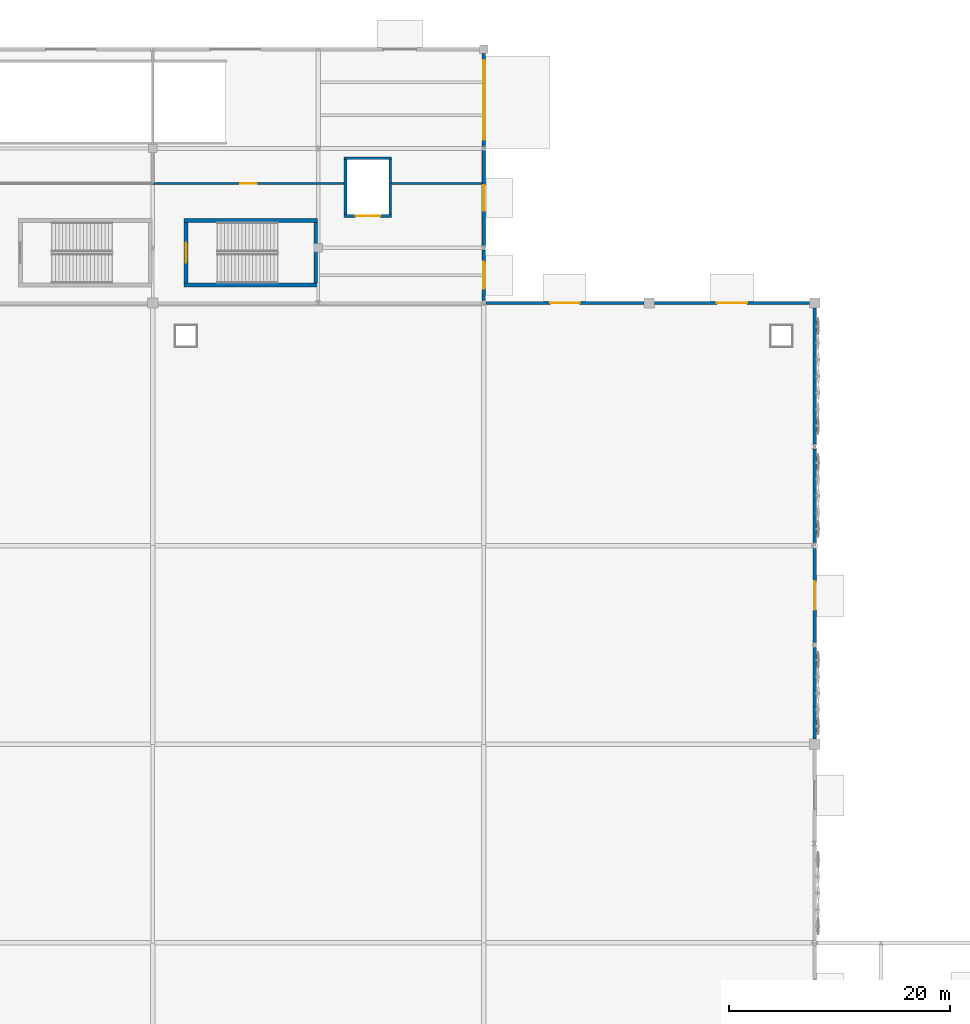
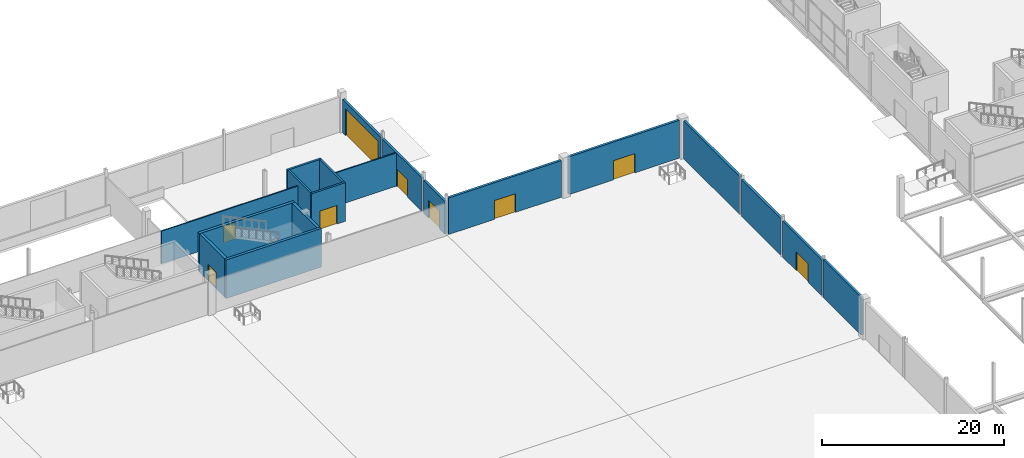
# One storey, part 57 of 94: 19 walls, 9 doors, 9 openings.
"""IFC4 building model written with IfcOpenShell, lengths in metres."""

import ifcopenshell
import ifcopenshell.guid

model = None  # the IFC model being written
_history = None  # IfcOwnerHistory: only IFC2X3 demands one
_inside = {}  # id of a spatial element -> (the spatial element, [elements in it])
_under = {}  # id of a project, library or spatial element -> (it, [spatial elements below it])
_declared = {}  # id of a project -> (the project, [libraries it declares])
_typed = {}  # id of a type object -> (the type object, [elements of that type])
_made_of = {}  # id of a material, layer set ... -> (it, [elements and type objects made of it])


def new_model(schema):
    """Start an empty IFC model of exactly this schema.

    Asked for "IFC4X3", IfcOpenShell would pick the latest addendum, in which some entities
    have other attributes; the version numbers below select the first issue.
    IFC2X3 requires an IfcOwnerHistory on every rooted entity: one is made here for all.
    """
    global model, _history
    if schema == "IFC4X3":
        model = ifcopenshell.file(schema_version=(4, 3, 0, 0))
    else:
        model = ifcopenshell.file(schema=schema)
    _inside.clear()
    _under.clear()
    _declared.clear()
    _typed.clear()
    _made_of.clear()
    _history = None
    if model.schema == "IFC2X3":
        org = make("IfcOrganization", Name="unknown")
        user = make(
            "IfcPersonAndOrganization",
            ThePerson=make("IfcPerson", FamilyName="unknown"),
            TheOrganization=org,
        )
        app = make(
            "IfcApplication",
            ApplicationDeveloper=org,
            Version="unknown",
            ApplicationFullName="unknown",
            ApplicationIdentifier="unknown",
        )
        _history = make(
            "IfcOwnerHistory",
            OwningUser=user,
            OwningApplication=app,
            ChangeAction="ADDED",
            CreationDate=0,
        )
    return model


def make(cls, **values):
    """One entity of the class cls with the attributes given. An attribute that is None is left unset."""
    return model.create_entity(
        cls, **{name: value for name, value in values.items() if value is not None}
    )


def rooted(cls, **values):
    """An entity with a GlobalId (a new one), such as an element, a storey or a relation."""
    return make(cls, GlobalId=ifcopenshell.guid.new(), OwnerHistory=_history, **values)


def si_unit(unit_type, name, prefix=None):
    """IfcSIUnit, for example si_unit("LENGTHUNIT", "METRE", prefix="MILLI")."""
    return make("IfcSIUnit", UnitType=unit_type, Prefix=prefix, Name=name)


def assignment(units):
    """IfcUnitAssignment: the units of a project."""
    return None if units is None else make("IfcUnitAssignment", Units=units)


def point(xyz):
    """IfcCartesianPoint."""
    return None if xyz is None else make("IfcCartesianPoint", Coordinates=xyz)


def direction(xyz):
    """IfcDirection."""
    return None if xyz is None else make("IfcDirection", DirectionRatios=xyz)


def frame(location, z_axis=None, x_axis=None):
    """IfcAxis2Placement3D, a coordinate frame: its origin and axes. An axis left out is left unset."""
    return make(
        "IfcAxis2Placement3D",
        Location=point(location),
        Axis=direction(z_axis),
        RefDirection=direction(x_axis),
    )


def frame_2d(location, x_axis=None):
    """IfcAxis2Placement2D, a coordinate frame in the plane: its origin and x axis."""
    return make(
        "IfcAxis2Placement2D", Location=point(location), RefDirection=direction(x_axis)
    )


def origin():
    """The frame at (0, 0, 0) with its axes left unset."""
    return frame((0.0, 0.0, 0.0))


def place(relative_to, where):
    """IfcLocalPlacement: puts the frame where relative to a parent placement (None: the world)."""
    return make(
        "IfcLocalPlacement", PlacementRelTo=relative_to, RelativePlacement=where
    )


def context(
    kind, dimensions, precision=None, world=None, true_north=None, identifier=None
):
    """IfcGeometricRepresentationContext, for example the 3D "Model" context."""
    return make(
        "IfcGeometricRepresentationContext",
        ContextIdentifier=identifier,
        ContextType=kind,
        CoordinateSpaceDimension=dimensions,
        Precision=precision,
        WorldCoordinateSystem=world,
        TrueNorth=true_north,
    )


def subcontext(parent, identifier, kind, view, scale=None):
    """IfcGeometricRepresentationSubContext, for example "Body" below "Model"."""
    return make(
        "IfcGeometricRepresentationSubContext",
        ContextIdentifier=identifier,
        ContextType=kind,
        ParentContext=parent,
        TargetScale=scale,
        TargetView=view,
    )


def project(units=None, contexts=None):
    """IfcProject with its units and contexts."""
    return rooted(
        "IfcProject",
        Name="project",
        RepresentationContexts=contexts,
        UnitsInContext=assignment(units),
    )


def spatial(cls, under=None, at=None, **own):
    """A site, building, storey or space (cls), placed at a placement, below another one or the project."""
    s = rooted(cls, ObjectPlacement=at, **own)
    if under is not None:
        _under.setdefault(under.id(), (under, []))[1].append(s)
    return s


def profile(cls, at=None, kind="AREA", **sizes):
    """A parametric profile (cls). Its sizes go by their IFC names, for example OverallWidth=200.0."""
    return make(cls, ProfileType=kind, Position=at, **sizes)


def rectangle(**sizes):
    """IfcRectangleProfileDef."""
    return profile("IfcRectangleProfileDef", **sizes)


def extrude(swept, where, along, depth):
    """IfcExtrudedAreaSolid: the profile swept, set in the frame where, extruded along a direction by depth."""
    return make(
        "IfcExtrudedAreaSolid",
        SweptArea=swept,
        Position=where,
        ExtrudedDirection=direction(along),
        Depth=depth,
    )


def shape(context_of_items, identifier, shape_type, items):
    """IfcShapeRepresentation: the items that make up one representation, for example the "Body"."""
    return make(
        "IfcShapeRepresentation",
        ContextOfItems=context_of_items,
        RepresentationIdentifier=identifier,
        RepresentationType=shape_type,
        Items=items,
    )


def material(Name=None, Category=None):
    """IfcMaterial."""
    return make("IfcMaterial", Name=Name, Category=Category)


def layer(
    of_material, thickness, ventilated=None, Name=None, Category=None, Priority=None
):
    """IfcMaterialLayer: one layer of a wall or slab, of a material (None: an air gap)."""
    return make(
        "IfcMaterialLayer",
        Material=of_material,
        LayerThickness=thickness,
        IsVentilated=ventilated,
        Name=Name,
        Category=Category,
        Priority=Priority,
    )


def layer_set(layers, Name=None):
    """IfcMaterialLayerSet."""
    return make("IfcMaterialLayerSet", MaterialLayers=layers, LayerSetName=Name)


def made_of(thing, what):
    """Note that an element or type object is made of a material, layer set ...; save() writes the relation."""
    if what is not None:
        _made_of.setdefault(what.id(), (what, []))[1].append(thing)
    return thing


def type_object(cls, material=None, **own):
    """A type object (cls), such as IfcWallType, which elements share."""
    return made_of(rooted(cls, **own), material)


def element(
    cls,
    number,
    at=None,
    inside=None,
    cuts=None,
    type_object=None,
    material=None,
    context=None,
    identifier="Body",
    shape_type=None,
    held_by="IfcProductDefinitionShape",
    body=None,
    shapes=None,
    **own,
):
    """One element of the class cls, such as IfcWall. Its Tag is "e" and its number.

    at: its placement. inside: the storey or other place that contains it. cuts: it is an
    opening in that element (IfcRelVoidsElement). A single representation is given by context,
    identifier, shape_type and body (its items); several are given by shapes. held_by: the class
    of the entity that holds the representations. save() writes the other relations.
    """
    e = rooted(cls, Tag="e%d" % number, ObjectPlacement=at, **own)
    if body is not None:
        shapes = [shape(context, identifier, shape_type, body)]
    if shapes is not None:
        e.Representation = make(held_by, Representations=shapes)
    if inside is not None:
        _inside.setdefault(inside.id(), (inside, []))[1].append(e)
    if cuts is not None:
        rooted(
            "IfcRelVoidsElement", RelatingBuildingElement=cuts, RelatedOpeningElement=e
        )
    if type_object is not None:
        _typed.setdefault(type_object.id(), (type_object, []))[1].append(e)
    return made_of(e, material)


def fill(opening, filler):
    """IfcRelFillsElement: the door or window that sits in an opening."""
    return rooted(
        "IfcRelFillsElement",
        RelatingOpeningElement=opening,
        RelatedBuildingElement=filler,
    )


def aggregate(whole, parts):
    """IfcRelAggregates: a whole, such as a stair, and the parts it consists of."""
    return rooted("IfcRelAggregates", RelatingObject=whole, RelatedObjects=parts)


def save(model, path):
    """Write the relations noted so far, then the file.

    IfcRelAggregates (storeys below a building ...), IfcRelContainedInSpatialStructure (elements
    in a storey), IfcRelDefinesByType, IfcRelAssociatesMaterial and IfcRelDeclares: one each for
    every whole, place, type object, material and project.
    """
    for whole, parts in _under.values():
        aggregate(whole, parts)
    for where, things in _inside.values():
        rooted(
            "IfcRelContainedInSpatialStructure",
            RelatedElements=things,
            RelatingStructure=where,
        )
    for kind, things in _typed.values():
        rooted("IfcRelDefinesByType", RelatedObjects=things, RelatingType=kind)
    for what, things in _made_of.values():
        rooted("IfcRelAssociatesMaterial", RelatedObjects=things, RelatingMaterial=what)
    for by, libraries in _declared.values():
        rooted("IfcRelDeclares", RelatingContext=by, RelatedDefinitions=libraries)
    model.write(path)


model = new_model("IFC4")

# Units and contexts
model_context = context("Model", 3, precision=1e-05, world=origin(), true_north=direction((0.0, 1.0)))
body_context = subcontext(model_context, "Body", "Model", "MODEL_VIEW")
ifc_project = project(units=[si_unit("LENGTHUNIT", "METRE"), si_unit("AREAUNIT", "SQUARE_METRE"), si_unit("VOLUMEUNIT", "CUBIC_METRE"), si_unit("PLANEANGLEUNIT", "RADIAN"), si_unit("MASSUNIT", "GRAM", prefix="KILO")], contexts=[model_context])

# Site, building, storey
site_placement = place(None, origin())
site = spatial("IfcSite", under=ifc_project, at=site_placement, CompositionType="ELEMENT")
building_placement = place(site_placement, origin())
building = spatial("IfcBuilding", under=site, at=building_placement, Name="Qamarlyn Nura Convention Centre", CompositionType="ELEMENT")
storey_placement = place(building_placement, origin())
storey = spatial("IfcBuildingStorey", under=building, at=storey_placement, Name="L00", CompositionType="ELEMENT", Elevation=0.0)

# Walls
ifc_material_1 = material(Name="Concrete C50/60", Category="concrete")
ifc_layer_1 = layer(ifc_material_1, 0.35009765625, Name="WT-CORE-350")
ifc_layer_set_1 = layer_set([ifc_layer_1], Name="Concrete C50/60")
wall_type_1 = type_object("IfcWallType", Name="WT-CORE-350", PredefinedType="SHEAR", material=ifc_layer_set_1)
for number, where, z_axis, x_axis, name in (
    (1, (62.85009765625, 104.625, 0.0), (0.0, 0.0, 1.0), (1.0, 0.0, 0.0), "L00 stair core shear wall ST-04-S"),
    (2, (74.949951171875, 110.47509765625, 0.0), (0.0, 0.0, 1.0), (-1.0, 0.0, 0.0), "L00 stair core shear wall ST-04-N"),
):
    element("IfcWall", number, at=place(storey_placement, frame(where, z_axis=z_axis, x_axis=x_axis)), inside=storey, type_object=wall_type_1, Name=name, PredefinedType="SHEAR", context=body_context, shape_type="SweptSolid", body=[
        extrude(rectangle(XDim=12.099853515625, YDim=0.35009765625, at=frame_2d((6.0498046875, 0.0))), origin(), (0.0, 0.0, 1.0), 5.179931640625),
    ])

# Wall, opening, door
wall_1_placement = place(storey_placement, frame((63.02490234375, 110.300048828125, 0.0), z_axis=(0.0, 0.0, 1.0), x_axis=(0.0, -1.0, 0.0)))
wall_1 = element("IfcWall", 3, at=wall_1_placement, inside=storey, type_object=wall_type_1, Name="L00 stair core shear wall ST-04-W", PredefinedType="SHEAR", context=body_context, shape_type="SweptSolid", body=[
    extrude(rectangle(XDim=5.5, YDim=0.35009765625, at=frame_2d((2.75, 0.0))), origin(), (0.0, 0.0, 1.0), 5.179931640625),
])
opening_1_placement = place(wall_1_placement, frame((1.85009765625, 0.0, 0.0)))
opening_1 = element("IfcOpeningElement", 4, at=opening_1_placement, cuts=wall_1, Name="Opening DS-011", PredefinedType="OPENING", context=body_context, shape_type="SweptSolid", body=[
    extrude(rectangle(XDim=1.800048828125, YDim=2.199951171875, at=frame_2d((0.89990234375, 1.10009765625))), frame((0.0, 0.18505859375, 0.0), z_axis=(0.0, -1.0, 0.0), x_axis=(1.0, 0.0, 0.0)), (0.0, 0.0, 1.0), 0.3701171875),
])
ifc_material_2 = material(Name="Galvanised fire-rated hollow steel door", Category="steel")
door_type_1 = type_object("IfcDoorType", Name="DR-STAIR-1800", OperationType="DOUBLE_DOOR_SINGLE_SWING", PredefinedType="DOOR", material=ifc_material_2)
door_1_placement = place(opening_1_placement, origin())
door_1 = element("IfcDoor", 5, at=door_1_placement, inside=storey, type_object=door_type_1, Name="L00 exit stair door ST-04 (DS-011)", OperationType="DOUBLE_DOOR_SINGLE_SWING", OverallHeight=2.199951171875, OverallWidth=1.800048828125, PredefinedType="DOOR", context=body_context, shape_type="SweptSolid", body=[
    extrude(rectangle(XDim=1.800048828125, YDim=2.199951171875, at=frame_2d((0.89990234375, 1.10009765625))), frame((0.0, 0.02490234375, 0.0), z_axis=(0.0, -1.0, 0.0), x_axis=(1.0, 0.0, 0.0)), (0.0, 0.0, 1.0), 0.050048828125),
])
fill(opening_1, door_1)

# Wall
wall_2_placement = place(storey_placement, frame((74.77490234375, 104.800048828125, 0.0), z_axis=(0.0, 0.0, 1.0), x_axis=(0.0, 1.0, 0.0)))
element("IfcWall", 6, at=wall_2_placement, inside=storey, type_object=wall_type_1, Name="L00 stair core shear wall ST-04-E", PredefinedType="SHEAR", context=body_context, shape_type="SweptSolid", body=[
    extrude(rectangle(XDim=5.5, YDim=0.35009765625, at=frame_2d((2.75, 0.0))), origin(), (0.0, 0.0, 1.0), 5.179931640625),
])

# Wall, opening, door
ifc_material_3 = material(Name="Concrete C40/50", Category="concrete")
ifc_layer_2 = layer(ifc_material_3, 0.280029296875, Name="WT-EXT-280")
ifc_layer_set_2 = layer_set([ifc_layer_2], Name="Concrete C40/50")
wall_type_2 = type_object("IfcWallType", Name="WT-EXT-280", PredefinedType="SOLIDWALL", material=ifc_layer_set_2)
wall_3_placement = place(storey_placement, frame((90.0, 116.845947265625, 0.0), z_axis=(0.0, 0.0, 1.0), x_axis=(0.0, -1.0, 0.0)))
wall_3 = element("IfcWall", 7, at=wall_3_placement, inside=storey, type_object=wall_type_2, Name="L00 exterior facade wall WEXT-L00-900-1168-900-1082", PredefinedType="SOLIDWALL", context=body_context, shape_type="SweptSolid", body=[
    extrude(rectangle(XDim=8.659912109375, YDim=0.280029296875, at=frame_2d((4.330078125, 0.0))), origin(), (0.0, 0.0, 1.0), 4.469970703125),
])
opening_2_placement = place(wall_3_placement, frame((3.155029296875, 0.0, 0.0)))
opening_2 = element("IfcOpeningElement", 8, at=opening_2_placement, cuts=wall_3, Name="Opening E-33", PredefinedType="OPENING", context=body_context, shape_type="SweptSolid", body=[
    extrude(rectangle(XDim=2.35009765625, YDim=2.3798828125, at=frame_2d((1.175048828125, 1.18994140625))), frame((0.0, 0.14990234375, 0.0), z_axis=(0.0, -1.0, 0.0), x_axis=(1.0, 0.0, 0.0)), (0.0, 0.0, 1.0), 0.300048828125),
])
ifc_material_4 = material(Name="Champagne-anodised marine aluminium", Category="aluminium")
door_type_2 = type_object("IfcDoorType", Name="DR-EXIT-2350", OperationType="DOUBLE_DOOR_SINGLE_SWING", PredefinedType="DOOR", material=ifc_material_4)
door_2_placement = place(opening_2_placement, origin())
door_2 = element("IfcDoor", 9, at=door_2_placement, inside=storey, type_object=door_type_2, Name="Final exit E-33", OperationType="DOUBLE_DOOR_SINGLE_SWING", OverallHeight=2.3798828125, OverallWidth=2.35009765625, PredefinedType="DOOR", context=body_context, shape_type="SweptSolid", body=[
    extrude(rectangle(XDim=2.35009765625, YDim=2.3798828125, at=frame_2d((1.175048828125, 1.18994140625))), frame((0.0, 0.02490234375, 0.0), z_axis=(0.0, -1.0, 0.0), x_axis=(1.0, 0.0, 0.0)), (0.0, 0.0, 1.0), 0.050048828125),
])
fill(opening_2, door_2)

wall_4_placement = place(storey_placement, frame((90.0, 107.81396484375, 0.0), z_axis=(0.0, 0.0, 1.0), x_axis=(0.0, -1.0, 0.0)))
wall_4 = element("IfcWall", 10, at=wall_4_placement, inside=storey, type_object=wall_type_2, Name="L00 exterior facade wall WEXT-L00-900-1078-900-1032", PredefinedType="SOLIDWALL", context=body_context, shape_type="SweptSolid", body=[
    extrude(rectangle(XDim=4.61083984375, YDim=0.280029296875, at=frame_2d((2.305419921875, 0.0))), origin(), (0.0, 0.0, 1.0), 4.39208984375),
])
opening_3_placement = place(wall_4_placement, frame((1.095458984375, 0.0, 0.0)))
opening_3 = element("IfcOpeningElement", 11, at=opening_3_placement, cuts=wall_4, Name="Opening E-34", PredefinedType="OPENING", context=body_context, shape_type="SweptSolid", body=[
    extrude(rectangle(XDim=2.419921875, YDim=2.39990234375, at=frame_2d((1.2099609375, 1.199951171875))), frame((0.0, 0.14990234375, 0.0), z_axis=(0.0, -1.0, 0.0), x_axis=(1.0, 0.0, 0.0)), (0.0, 0.0, 1.0), 0.300048828125),
])
door_type_3 = type_object("IfcDoorType", Name="DR-EXIT-2420", OperationType="DOUBLE_DOOR_SINGLE_SWING", PredefinedType="DOOR", material=ifc_material_4)
door_3_placement = place(opening_3_placement, origin())
door_3 = element("IfcDoor", 12, at=door_3_placement, inside=storey, type_object=door_type_3, Name="Final exit E-34", OperationType="DOUBLE_DOOR_SINGLE_SWING", OverallHeight=2.39990234375, OverallWidth=2.419921875, PredefinedType="DOOR", context=body_context, shape_type="SweptSolid", body=[
    extrude(rectangle(XDim=2.419921875, YDim=2.39990234375, at=frame_2d((1.2099609375, 1.199951171875))), frame((0.0, 0.02490234375, 0.0), z_axis=(0.0, -1.0, 0.0), x_axis=(1.0, 0.0, 0.0)), (0.0, 0.0, 1.0), 0.050048828125),
])
fill(opening_3, door_3)

ifc_material_5 = material(Name="Concrete C40/50 with UAE coastal limestone stone facing", Category="masonry")
ifc_layer_3 = layer(ifc_material_5, 0.300048828125, Name="WT-LIME-300")
ifc_layer_set_3 = layer_set([ifc_layer_3], Name="Concrete C40/50 with UAE coastal limestone stone facing")
wall_type_3 = type_object("IfcWallType", Name="WT-LIME-300", PredefinedType="SOLIDWALL", material=ifc_layer_set_3)
wall_5_placement = place(storey_placement, frame((90.203125, 103.0, 0.0), z_axis=(0.0, 0.0, 1.0), x_axis=(1.0, 0.0, 0.0)))
wall_5 = element("IfcWall", 13, at=wall_5_placement, inside=storey, type_object=wall_type_3, Name="L00 exterior facade wall WEXT-L00-902-1030-1045-1030", PredefinedType="SOLIDWALL", context=body_context, shape_type="SweptSolid", body=[
    extrude(rectangle(XDim=14.32177734375, YDim=0.300048828125, at=frame_2d((7.160888671875, 0.0))), origin(), (0.0, 0.0, 1.0), 4.9189453125),
])
opening_4_placement = place(wall_5_placement, frame((5.8359375, 0.0, 0.0)))
opening_4 = element("IfcOpeningElement", 14, at=opening_4_placement, cuts=wall_5, Name="Opening E-21", PredefinedType="OPENING", context=body_context, shape_type="SweptSolid", body=[
    extrude(rectangle(XDim=2.64990234375, YDim=2.52001953125, at=frame_2d((1.324951171875, 1.260009765625))), frame((0.0, 0.16015625, 0.0), z_axis=(0.0, -1.0, 0.0), x_axis=(1.0, 0.0, 0.0)), (0.0, 0.0, 1.0), 0.320068359375),
])
door_type_4 = type_object("IfcDoorType", Name="DR-EXIT-2650", OperationType="DOUBLE_DOOR_SINGLE_SWING", PredefinedType="DOOR", material=ifc_material_4)
door_4_placement = place(opening_4_placement, origin())
door_4 = element("IfcDoor", 15, at=door_4_placement, inside=storey, type_object=door_type_4, Name="Final exit E-21", OperationType="DOUBLE_DOOR_SINGLE_SWING", OverallHeight=2.52001953125, OverallWidth=2.64990234375, PredefinedType="DOOR", context=body_context, shape_type="SweptSolid", body=[
    extrude(rectangle(XDim=2.64990234375, YDim=2.52001953125, at=frame_2d((1.324951171875, 1.260009765625))), frame((0.0, 0.02490234375, 0.0), z_axis=(0.0, -1.0, 0.0), x_axis=(1.0, 0.0, 0.0)), (0.0, 0.0, 1.0), 0.050048828125),
])
fill(opening_4, door_4)

wall_6_placement = place(storey_placement, frame((105.47509765625, 103.0, 0.0), z_axis=(0.0, 0.0, 1.0), x_axis=(1.0, 0.0, 0.0)))
wall_6 = element("IfcWall", 16, at=wall_6_placement, inside=storey, type_object=wall_type_3, Name="L00 exterior facade wall WEXT-L00-1055-1030-1195-1030", PredefinedType="SOLIDWALL", context=body_context, shape_type="SweptSolid", body=[
    extrude(rectangle(XDim=14.0498046875, YDim=0.300048828125, at=frame_2d((7.02490234375, 0.0))), origin(), (0.0, 0.0, 1.0), 5.0849609375),
])
opening_5_placement = place(wall_6_placement, frame((5.64990234375, 0.0, 0.0)))
opening_5 = element("IfcOpeningElement", 17, at=opening_5_placement, cuts=wall_6, Name="Opening E-22", PredefinedType="OPENING", context=body_context, shape_type="SweptSolid", body=[
    extrude(rectangle(XDim=2.75, YDim=2.580078125, at=frame_2d((1.375, 1.2900390625))), frame((0.0, 0.16015625, 0.0), z_axis=(0.0, -1.0, 0.0), x_axis=(1.0, 0.0, 0.0)), (0.0, 0.0, 1.0), 0.320068359375),
])
door_type_5 = type_object("IfcDoorType", Name="DR-MAIN-2750", OperationType="DOUBLE_DOOR_SINGLE_SWING", PredefinedType="DOOR", material=ifc_material_4)
door_5_placement = place(opening_5_placement, origin())
door_5 = element("IfcDoor", 18, at=door_5_placement, inside=storey, type_object=door_type_5, Name="Final exit E-22", OperationType="DOUBLE_DOOR_SINGLE_SWING", OverallHeight=2.580078125, OverallWidth=2.75, PredefinedType="DOOR", context=body_context, shape_type="SweptSolid", body=[
    extrude(rectangle(XDim=2.75, YDim=2.580078125, at=frame_2d((1.375, 1.2900390625))), frame((0.0, 0.02490234375, 0.0), z_axis=(0.0, -1.0, 0.0), x_axis=(1.0, 0.0, 0.0)), (0.0, 0.0, 1.0), 0.050048828125),
])
fill(opening_5, door_5)

# Wall
wall_7_placement = place(storey_placement, frame((120.0, 71.796875, 0.0), z_axis=(0.0, 0.0, 1.0), x_axis=(0.0, -1.0, 0.0)))
element("IfcWall", 19, at=wall_7_placement, inside=storey, type_object=wall_type_3, Name="L00 exterior facade wall WEXT-L00-1200-718-1200-635", PredefinedType="SOLIDWALL", context=body_context, shape_type="SweptSolid", body=[
    extrude(rectangle(XDim=8.32177734375, YDim=0.300048828125, at=frame_2d((4.160888671875, 0.0))), origin(), (0.0, 0.0, 1.0), 5.0849609375),
])

# Wall, opening, door
wall_8_placement = place(storey_placement, frame((120.0, 80.74609375, 0.0), z_axis=(0.0, 0.0, 1.0), x_axis=(0.0, -1.0, 0.0)))
wall_8 = element("IfcWall", 20, at=wall_8_placement, inside=storey, type_object=wall_type_3, Name="L00 exterior facade wall WEXT-L00-1200-807-1200-722", PredefinedType="SOLIDWALL", context=body_context, shape_type="SweptSolid", body=[
    extrude(rectangle(XDim=8.54296875, YDim=0.300048828125, at=frame_2d((4.271484375, 0.0))), origin(), (0.0, 0.0, 1.0), 4.845947265625),
])
opening_6_placement = place(wall_8_placement, frame((2.9814453125, 0.0, 0.0)))
opening_6 = element("IfcOpeningElement", 21, at=opening_6_placement, cuts=wall_8, Name="Opening E-28", PredefinedType="OPENING", context=body_context, shape_type="SweptSolid", body=[
    extrude(rectangle(XDim=2.580078125, YDim=2.47998046875, at=frame_2d((1.2900390625, 1.239990234375))), frame((0.0, 0.16015625, 0.0), z_axis=(0.0, -1.0, 0.0), x_axis=(1.0, 0.0, 0.0)), (0.0, 0.0, 1.0), 0.320068359375),
])
door_type_6 = type_object("IfcDoorType", Name="DR-EXIT-2580", OperationType="DOUBLE_DOOR_SINGLE_SWING", PredefinedType="DOOR", material=ifc_material_4)
door_6_placement = place(opening_6_placement, origin())
door_6 = element("IfcDoor", 22, at=door_6_placement, inside=storey, type_object=door_type_6, Name="Final exit E-28", OperationType="DOUBLE_DOOR_SINGLE_SWING", OverallHeight=2.47998046875, OverallWidth=2.580078125, PredefinedType="DOOR", context=body_context, shape_type="SweptSolid", body=[
    extrude(rectangle(XDim=2.580078125, YDim=2.47998046875, at=frame_2d((1.2900390625, 1.239990234375))), frame((0.0, 0.02490234375, 0.0), z_axis=(0.0, -1.0, 0.0), x_axis=(1.0, 0.0, 0.0)), (0.0, 0.0, 1.0), 0.050048828125),
])
fill(opening_6, door_6)

# Walls
wall_9_placement = place(storey_placement, frame((120.0, 89.78759765625, 0.0), z_axis=(0.0, 0.0, 1.0), x_axis=(0.0, -1.0, 0.0)))
element("IfcWall", 23, at=wall_9_placement, inside=storey, type_object=wall_type_3, Name="L00 exterior facade wall WEXT-L00-1200-898-1200-813", PredefinedType="SOLIDWALL", context=body_context, shape_type="SweptSolid", body=[
    extrude(rectangle(XDim=8.53369140625, YDim=0.300048828125, at=frame_2d((4.266845703125, 0.0))), origin(), (0.0, 0.0, 1.0), 4.9189453125),
])
wall_10_placement = place(storey_placement, frame((120.0, 102.52490234375, 0.0), z_axis=(0.0, 0.0, 1.0), x_axis=(0.0, -1.0, 0.0)))
element("IfcWall", 24, at=wall_10_placement, inside=storey, type_object=wall_type_3, Name="L00 exterior facade wall WEXT-L00-1200-1025-1200-902", PredefinedType="SOLIDWALL", context=body_context, shape_type="SweptSolid", body=[
    extrude(rectangle(XDim=12.3125, YDim=0.300048828125, at=frame_2d((6.15625, 0.0))), origin(), (0.0, 0.0, 1.0), 5.0849609375),
])

# Wall, opening, door
wall_11_placement = place(storey_placement, frame((90.0, 125.625, 0.0), z_axis=(0.0, 0.0, 1.0), x_axis=(0.0, -1.0, 0.0)))
wall_11 = element("IfcWall", 25, at=wall_11_placement, inside=storey, type_object=wall_type_3, Name="L00 exterior facade wall WEXT-L00-900-1256-900-1172", PredefinedType="SOLIDWALL", context=body_context, shape_type="SweptSolid", body=[
    extrude(rectangle(XDim=8.470947265625, YDim=0.300048828125, at=frame_2d((4.2353515625, 0.0))), origin(), (0.0, 0.0, 1.0), 4.48095703125),
])
opening_7_placement = place(wall_11_placement, frame((0.635986328125, 0.0, 0.0)))
opening_7 = element("IfcOpeningElement", 26, at=opening_7_placement, cuts=wall_11, Name="Opening VG-01", PredefinedType="OPENING", context=body_context, shape_type="SweptSolid", body=[
    extrude(rectangle(XDim=7.199951171875, YDim=3.60009765625, at=frame_2d((3.60009765625, 1.800048828125))), frame((0.0, 0.16015625, 0.0), z_axis=(0.0, -1.0, 0.0), x_axis=(1.0, 0.0, 0.0)), (0.0, 0.0, 1.0), 0.320068359375),
])
ifc_material_6 = material(Name="Steel ASTM A500 Grade C", Category="steel")
door_type_7 = type_object("IfcDoorType", Name="DR-RMP-7200", OperationType="ROLLINGUP", PredefinedType="DOOR", material=ifc_material_6)
door_7_placement = place(opening_7_placement, origin())
door_7 = element("IfcDoor", 27, at=door_7_placement, inside=storey, type_object=door_type_7, Name="Car park vehicle roller shutter gate VG-01", OperationType="ROLLINGUP", OverallHeight=3.60009765625, OverallWidth=7.199951171875, PredefinedType="DOOR", context=body_context, shape_type="SweptSolid", body=[
    extrude(rectangle(XDim=7.199951171875, YDim=3.60009765625, at=frame_2d((3.60009765625, 1.800048828125))), frame((0.0, 0.02490234375, 0.0), z_axis=(0.0, -1.0, 0.0), x_axis=(1.0, 0.0, 0.0)), (0.0, 0.0, 1.0), 0.050048828125),
])
fill(opening_7, door_7)

# Wall
ifc_material_7 = material(Name="Fire-rated acoustic gypsum board EI 60")
ifc_layer_4 = layer(ifc_material_7, 0.159912109375, Name="WT-PART-160")
ifc_layer_set_4 = layer_set([ifc_layer_4], Name="Fire-rated acoustic gypsum board EI 60")
wall_type_4 = type_object("IfcWallType", Name="WT-PART-160", PredefinedType="PARTITIONING", material=ifc_layer_set_4)
wall_12_placement = place(storey_placement, frame((89.860107421875, 113.840087890625, 0.0), z_axis=(0.0, 0.0, 1.0), x_axis=(-1.0, 0.0, 0.0)))
element("IfcWall", 28, at=wall_12_placement, inside=storey, type_object=wall_type_4, Name="L00 interior partition L00-STR-HALL-3-1", PredefinedType="PARTITIONING", context=body_context, shape_type="SweptSolid", body=[
    extrude(rectangle(XDim=8.210205078125, YDim=0.159912109375, at=frame_2d((4.10498046875, 0.0))), origin(), (0.0, 0.0, 1.0), 4.469970703125),
])

# Wall, opening, door
wall_13_placement = place(storey_placement, frame((77.35009765625, 113.840087890625, 0.0), z_axis=(0.0, 0.0, 1.0), x_axis=(-1.0, 0.0, 0.0)))
wall_13 = element("IfcWall", 29, at=wall_13_placement, inside=storey, type_object=wall_type_4, Name="L00 interior partition L00-STR-HALL-39-1", PredefinedType="PARTITIONING", context=body_context, shape_type="SweptSolid", body=[
    extrude(rectangle(XDim=17.35009765625, YDim=0.159912109375, at=frame_2d((8.675048828125, 0.0))), origin(), (0.0, 0.0, 1.0), 4.39208984375),
])
opening_8_placement = place(wall_13_placement, frame((7.925048828125, 0.0, 0.0)))
opening_8 = element("IfcOpeningElement", 30, at=opening_8_placement, cuts=wall_13, Name="Opening D-L00-151", PredefinedType="OPENING", context=body_context, shape_type="SweptSolid", body=[
    extrude(rectangle(XDim=1.5, YDim=2.25, at=frame_2d((0.75, 1.125))), frame((0.0, 0.08984375, 0.0), z_axis=(0.0, -1.0, 0.0), x_axis=(1.0, 0.0, 0.0)), (0.0, 0.0, 1.0), 0.179931640625),
])
door_type_8 = type_object("IfcDoorType", Name="DR-PLANT-1500", OperationType="DOUBLE_DOOR_SINGLE_SWING", PredefinedType="DOOR", material=ifc_material_2)
door_8_placement = place(opening_8_placement, origin())
door_8 = element("IfcDoor", 31, at=door_8_placement, inside=storey, type_object=door_type_8, Name="L00 Hall Furniture Store door D-L00-151", OperationType="DOUBLE_DOOR_SINGLE_SWING", OverallHeight=2.25, OverallWidth=1.5, PredefinedType="DOOR", context=body_context, shape_type="SweptSolid", body=[
    extrude(rectangle(XDim=1.5, YDim=2.25, at=frame_2d((0.75, 1.125))), frame((0.0, 0.02490234375, 0.0), z_axis=(0.0, -1.0, 0.0), x_axis=(1.0, 0.0, 0.0)), (0.0, 0.0, 1.0), 0.050048828125),
])
fill(opening_8, door_8)

ifc_material_8 = material(Name="Fire-rated acoustic gypsum board and mineral wool EI 120")
ifc_layer_5 = layer(ifc_material_8, 0.25, Name="WT-SHAFT-250")
ifc_layer_set_5 = layer_set([ifc_layer_5], Name="Fire-rated acoustic gypsum board and mineral wool EI 120")
wall_type_5 = type_object("IfcWallType", Name="WT-SHAFT-250", PredefinedType="SOLIDWALL", material=ifc_layer_set_5)
wall_14_placement = place(storey_placement, frame((77.35009765625, 110.875, 0.0), z_axis=(0.0, 0.0, 1.0), x_axis=(1.0, 0.0, 0.0)))
wall_14 = element("IfcWall", 32, at=wall_14_placement, inside=storey, type_object=wall_type_5, Name="L00 lift shaft enclosure wall FL-01 -y", PredefinedType="SOLIDWALL", context=body_context, shape_type="SweptSolid", body=[
    extrude(rectangle(XDim=4.2998046875, YDim=0.25, at=frame_2d((2.14990234375, 0.0))), origin(), (0.0, 0.0, 1.0), 5.179931640625),
])
opening_9_placement = place(wall_14_placement, frame((1.050048828125, 0.0, 0.0)))
opening_9 = element("IfcOpeningElement", 33, at=opening_9_placement, cuts=wall_14, Name="Opening LD-FL-01-L00", PredefinedType="OPENING", context=body_context, shape_type="SweptSolid", body=[
    extrude(rectangle(XDim=2.199951171875, YDim=2.5, at=frame_2d((1.10009765625, 1.25))), frame((0.0, 0.135009765625, 0.0), z_axis=(0.0, -1.0, 0.0), x_axis=(1.0, 0.0, 0.0)), (0.0, 0.0, 1.0), 0.27001953125),
])
door_type_9 = type_object("IfcDoorType", Name="DR-LD-FRT", OperationType="DOUBLE_DOOR_SLIDING", PredefinedType="DOOR", material=ifc_material_2)
door_9_placement = place(opening_9_placement, origin())
door_9 = element("IfcDoor", 34, at=door_9_placement, inside=storey, type_object=door_type_9, Name="Lift landing door LD-FL-01-L00", OperationType="DOUBLE_DOOR_SLIDING", OverallHeight=2.5, OverallWidth=2.199951171875, PredefinedType="DOOR", context=body_context, shape_type="SweptSolid", body=[
    extrude(rectangle(XDim=2.199951171875, YDim=2.5, at=frame_2d((1.10009765625, 1.25))), frame((0.0, 0.02490234375, 0.0), z_axis=(0.0, -1.0, 0.0), x_axis=(1.0, 0.0, 0.0)), (0.0, 0.0, 1.0), 0.050048828125),
])
fill(opening_9, door_9)

# Walls
wall_15_placement = place(storey_placement, frame((81.64990234375, 116.125, 0.0), z_axis=(0.0, 0.0, 1.0), x_axis=(-1.0, 0.0, 0.0)))
element("IfcWall", 35, at=wall_15_placement, inside=storey, type_object=wall_type_5, Name="L00 lift shaft enclosure wall FL-01 +y", PredefinedType="SOLIDWALL", context=body_context, shape_type="SweptSolid", body=[
    extrude(rectangle(XDim=4.2998046875, YDim=0.25, at=frame_2d((2.14990234375, 0.0))), origin(), (0.0, 0.0, 1.0), 5.179931640625),
])
for number, where, z_axis, x_axis, name in (
    (36, (77.47509765625, 116.0, 0.0), (0.0, 0.0, 1.0), (0.0, -1.0, 0.0), "L00 lift shaft enclosure wall FL-01 -x"),
    (37, (81.52490234375, 111.0, 0.0), (0.0, 0.0, 1.0), (0.0, 1.0, 0.0), "L00 lift shaft enclosure wall FL-01 +x"),
):
    element("IfcWall", number, at=place(storey_placement, frame(where, z_axis=z_axis, x_axis=x_axis)), inside=storey, type_object=wall_type_5, Name=name, PredefinedType="SOLIDWALL", context=body_context, shape_type="SweptSolid", body=[
        extrude(rectangle(XDim=5.0, YDim=0.25, at=frame_2d((2.5, 0.0))), origin(), (0.0, 0.0, 1.0), 5.179931640625),
    ])

save(model, "model.ifc")
